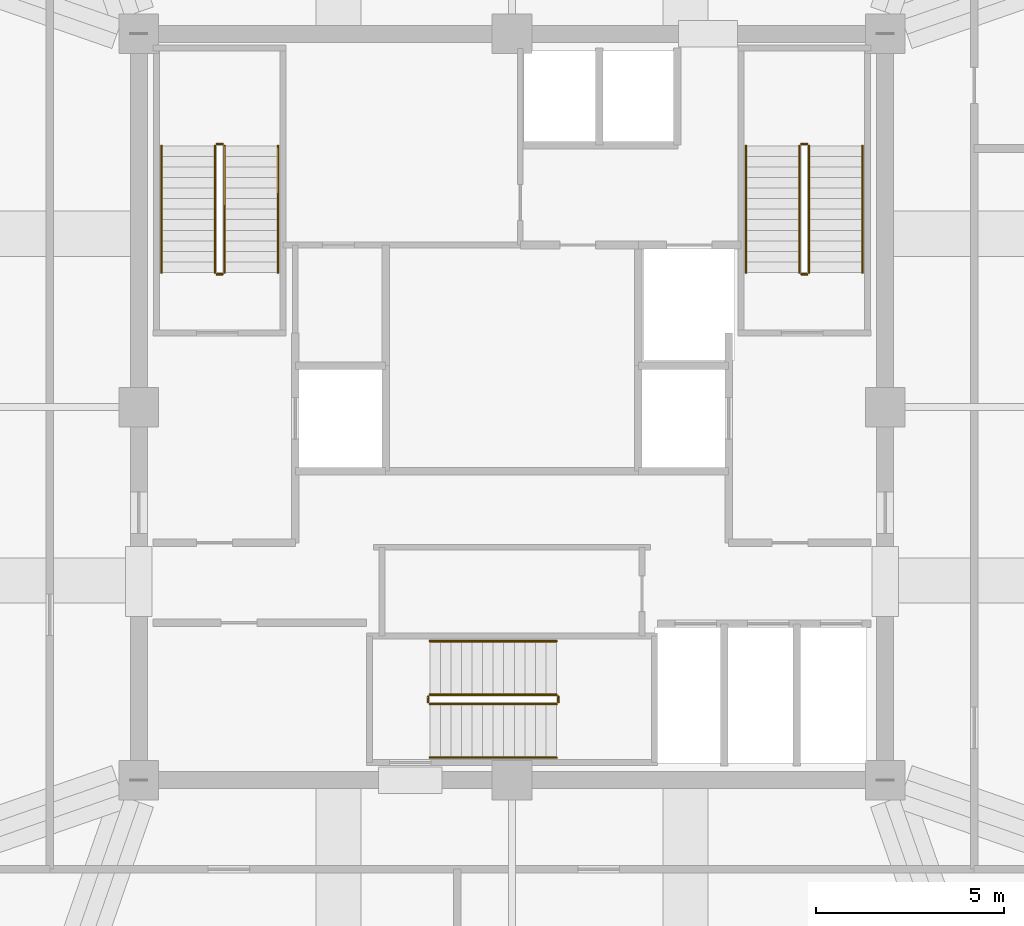
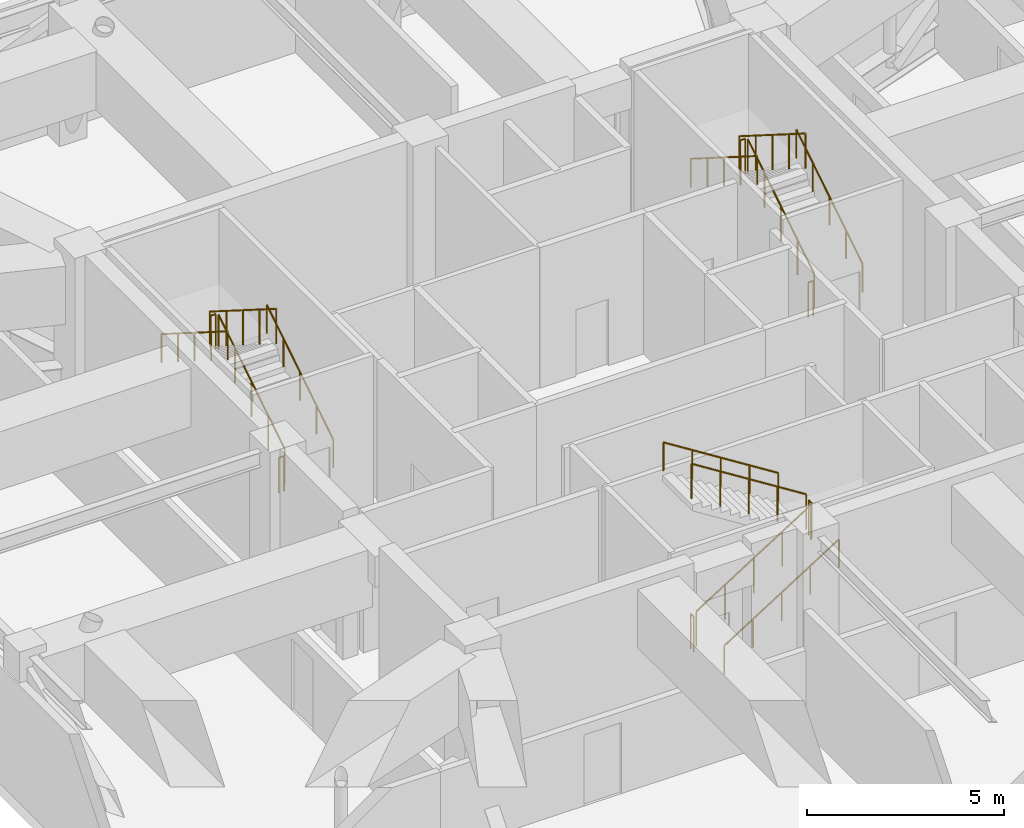
# One storey, part 14 of 14: 18 railings.
"""IFC4 building model written with IfcOpenShell, lengths in metres."""

from ifc_helpers import new_model, si_unit, direction, frame, origin, origin_2d, place, context, subcontext, project, spatial, circle, extrude, material, type_object, element, save


model = new_model("IFC4")

# Units and contexts
model_context = context("Model", 3, precision=1e-05, world=origin(), true_north=direction((0.0, 1.0)))
body_context = subcontext(model_context, "Body", "Model", "MODEL_VIEW")
ifc_project = project(units=[si_unit("LENGTHUNIT", "METRE"), si_unit("AREAUNIT", "SQUARE_METRE"), si_unit("VOLUMEUNIT", "CUBIC_METRE"), si_unit("PLANEANGLEUNIT", "RADIAN"), si_unit("MASSUNIT", "GRAM", prefix="KILO")], contexts=[model_context])

# Site, building, storey
site_placement = place(None, origin())
site = spatial("IfcSite", under=ifc_project, at=site_placement, CompositionType="ELEMENT")
building_placement = place(site_placement, origin())
building = spatial("IfcBuilding", under=site, at=building_placement, Name="Kolvaren Belvedere", CompositionType="ELEMENT")
storey_placement = place(building_placement, frame((0.0, 0.0, 232.800048828125)))
storey = spatial("IfcBuildingStorey", under=building, at=storey_placement, Name="L68", CompositionType="ELEMENT", Elevation=232.800048828125)

# Railings
ifc_material_1 = material(Name="Brushed stainless-steel handrail", Category="steel")
railing_type_1 = type_object("IfcRailingType", Name="RL-HANDRAIL-920", PredefinedType="HANDRAIL", material=ifc_material_1)
railing_1_placement = place(storey_placement, frame((-6.2099609375, 3.570068359375, 0.1767578125)))
element("IfcRailing", 1, at=railing_1_placement, inside=storey, type_object=railing_type_1, Name="L68 ST-1 stair handrail 1", PredefinedType="HANDRAIL", context=body_context, shape_type="SweptSolid", body=[
    extrude(circle(Radius=0.02392578125, at=origin_2d()), frame((0.0, 0.0, 0.8759765625), z_axis=(0.0, 0.845344368971, 0.534221768416), x_axis=(-1.0, 0.0, 0.0)), (0.0, 0.0, 1.0), 3.974609375),
    extrude(circle(Radius=0.02099609375, at=origin_2d()), origin(), (0.0, 0.0, 1.0), 0.851806640625),
    extrude(circle(Radius=0.02099609375, at=origin_2d()), frame((0.0, 0.83984375, 0.53076171875)), (0.0, 0.0, 1.0), 0.851806640625),
    extrude(circle(Radius=0.02099609375, at=origin_2d()), frame((0.0, 1.679931640625, 1.0615234375)), (0.0, 0.0, 1.0), 0.851806640625),
    extrude(circle(Radius=0.02099609375, at=origin_2d()), frame((0.0, 2.52001953125, 1.592529296875)), (0.0, 0.0, 1.0), 0.851806640625),
    extrude(circle(Radius=0.02099609375, at=origin_2d()), frame((0.0, 3.35986328125, 2.123291015625)), (0.0, 0.0, 1.0), 0.851806640625),
])
railing_2_placement = place(storey_placement, frame((-9.300048828125, 6.929931640625, 2.476806640625)))
element("IfcRailing", 2, at=railing_2_placement, inside=storey, type_object=railing_type_1, Name="L68 ST-1 stair handrail 2", PredefinedType="HANDRAIL", context=body_context, shape_type="SweptSolid", body=[
    extrude(circle(Radius=0.02392578125, at=origin_2d()), frame((0.0, 0.0, 0.8759765625), z_axis=(0.0, -0.845372108799, 0.534177870812), x_axis=(1.0, 0.0, 0.0)), (0.0, 0.0, 1.0), 3.974365234375),
    extrude(circle(Radius=0.02099609375, at=origin_2d()), origin(), (0.0, 0.0, 1.0), 0.851806640625),
    extrude(circle(Radius=0.02099609375, at=origin_2d()), frame((0.0, -0.83984375, 0.53076171875)), (0.0, 0.0, 1.0), 0.851806640625),
    extrude(circle(Radius=0.02099609375, at=origin_2d()), frame((0.0, -1.679931640625, 1.0615234375)), (0.0, 0.0, 1.0), 0.851806640625),
    extrude(circle(Radius=0.02099609375, at=origin_2d()), frame((0.0, -2.52001953125, 1.59228515625)), (0.0, 0.0, 1.0), 0.851806640625),
    extrude(circle(Radius=0.02099609375, at=origin_2d()), frame((0.0, -3.35986328125, 2.123046875)), (0.0, 0.0, 1.0), 0.851806640625),
])
railing_3_placement = place(storey_placement, frame((9.300048828125, 3.570068359375, 0.1767578125)))
element("IfcRailing", 3, at=railing_3_placement, inside=storey, type_object=railing_type_1, Name="L68 ST-2 stair handrail 1", PredefinedType="HANDRAIL", context=body_context, shape_type="SweptSolid", body=[
    extrude(circle(Radius=0.02392578125, at=origin_2d()), frame((0.0, 0.0, 0.8759765625), z_axis=(0.0, 0.845344368971, 0.534221768416), x_axis=(-1.0, 0.0, 0.0)), (0.0, 0.0, 1.0), 3.974609375),
    extrude(circle(Radius=0.02099609375, at=origin_2d()), origin(), (0.0, 0.0, 1.0), 0.851806640625),
    extrude(circle(Radius=0.02099609375, at=origin_2d()), frame((0.0, 0.83984375, 0.53076171875)), (0.0, 0.0, 1.0), 0.851806640625),
    extrude(circle(Radius=0.02099609375, at=origin_2d()), frame((0.0, 1.679931640625, 1.0615234375)), (0.0, 0.0, 1.0), 0.851806640625),
    extrude(circle(Radius=0.02099609375, at=origin_2d()), frame((0.0, 2.52001953125, 1.592529296875)), (0.0, 0.0, 1.0), 0.851806640625),
    extrude(circle(Radius=0.02099609375, at=origin_2d()), frame((0.0, 3.35986328125, 2.123291015625)), (0.0, 0.0, 1.0), 0.851806640625),
])
railing_4_placement = place(storey_placement, frame((6.2099609375, 6.929931640625, 2.476806640625)))
element("IfcRailing", 4, at=railing_4_placement, inside=storey, type_object=railing_type_1, Name="L68 ST-2 stair handrail 2", PredefinedType="HANDRAIL", context=body_context, shape_type="SweptSolid", body=[
    extrude(circle(Radius=0.02392578125, at=origin_2d()), frame((0.0, 0.0, 0.8759765625), z_axis=(0.0, -0.845372108799, 0.534177870812), x_axis=(1.0, 0.0, 0.0)), (0.0, 0.0, 1.0), 3.974365234375),
    extrude(circle(Radius=0.02099609375, at=origin_2d()), origin(), (0.0, 0.0, 1.0), 0.851806640625),
    extrude(circle(Radius=0.02099609375, at=origin_2d()), frame((0.0, -0.83984375, 0.53076171875)), (0.0, 0.0, 1.0), 0.851806640625),
    extrude(circle(Radius=0.02099609375, at=origin_2d()), frame((0.0, -1.679931640625, 1.0615234375)), (0.0, 0.0, 1.0), 0.851806640625),
    extrude(circle(Radius=0.02099609375, at=origin_2d()), frame((0.0, -2.52001953125, 1.59228515625)), (0.0, 0.0, 1.0), 0.851806640625),
    extrude(circle(Radius=0.02099609375, at=origin_2d()), frame((0.0, -3.35986328125, 2.123046875)), (0.0, 0.0, 1.0), 0.851806640625),
])
railing_5_placement = place(storey_placement, frame((-2.179931640625, -9.300048828125, 0.1767578125)))
element("IfcRailing", 5, at=railing_5_placement, inside=storey, type_object=railing_type_1, Name="L68 ST-3 stair handrail 1", PredefinedType="HANDRAIL", context=body_context, shape_type="SweptSolid", body=[
    extrude(circle(Radius=0.02392578125, at=origin_2d()), frame((0.0, 0.0, 0.8759765625), z_axis=(0.845344368971, 0.0, 0.534221768416), x_axis=(0.0, 1.0, 0.0)), (0.0, 0.0, 1.0), 3.974609375),
    extrude(circle(Radius=0.02099609375, at=origin_2d()), origin(), (0.0, 0.0, 1.0), 0.851806640625),
    extrude(circle(Radius=0.02099609375, at=origin_2d()), frame((0.83984375, 0.0, 0.53076171875)), (0.0, 0.0, 1.0), 0.851806640625),
    extrude(circle(Radius=0.02099609375, at=origin_2d()), frame((1.679931640625, 0.0, 1.0615234375)), (0.0, 0.0, 1.0), 0.851806640625),
    extrude(circle(Radius=0.02099609375, at=origin_2d()), frame((2.52001953125, 0.0, 1.592529296875)), (0.0, 0.0, 1.0), 0.851806640625),
    extrude(circle(Radius=0.02099609375, at=origin_2d()), frame((3.35986328125, 0.0, 2.123291015625)), (0.0, 0.0, 1.0), 0.851806640625),
])
railing_6_placement = place(storey_placement, frame((1.179931640625, -6.2099609375, 2.476806640625)))
element("IfcRailing", 6, at=railing_6_placement, inside=storey, type_object=railing_type_1, Name="L68 ST-3 stair handrail 2", PredefinedType="HANDRAIL", context=body_context, shape_type="SweptSolid", body=[
    extrude(circle(Radius=0.02392578125, at=origin_2d()), frame((0.0, 0.0, 0.8759765625), z_axis=(-0.845372108799, 0.0, 0.534177870812), x_axis=(0.0, -1.0, 0.0)), (0.0, 0.0, 1.0), 3.974365234375),
    extrude(circle(Radius=0.02099609375, at=origin_2d()), origin(), (0.0, 0.0, 1.0), 0.851806640625),
    extrude(circle(Radius=0.02099609375, at=origin_2d()), frame((-0.83984375, 0.0, 0.53076171875)), (0.0, 0.0, 1.0), 0.851806640625),
    extrude(circle(Radius=0.02099609375, at=origin_2d()), frame((-1.679931640625, 0.0, 1.0615234375)), (0.0, 0.0, 1.0), 0.851806640625),
    extrude(circle(Radius=0.02099609375, at=origin_2d()), frame((-2.52001953125, 0.0, 1.59228515625)), (0.0, 0.0, 1.0), 0.851806640625),
    extrude(circle(Radius=0.02099609375, at=origin_2d()), frame((-3.35986328125, 0.0, 2.123046875)), (0.0, 0.0, 1.0), 0.851806640625),
])
ifc_material_2 = material(Name="Painted tubular steel stair guard", Category="steel")
railing_type_2 = type_object("IfcRailingType", Name="RL-STGUARD-1100", PredefinedType="GUARDRAIL", material=ifc_material_2)
railing_7_placement = place(storey_placement, frame((-7.6298828125, 3.570068359375, 0.1767578125)))
element("IfcRailing", 7, at=railing_7_placement, inside=storey, type_object=railing_type_2, Name="L68 ST-1 stair guard 1", PredefinedType="GUARDRAIL", context=body_context, shape_type="SweptSolid", body=[
    extrude(circle(Radius=0.02392578125, at=origin_2d()), frame((0.0, 0.0, 1.076171875), z_axis=(0.0, 0.845344368971, 0.534221768416), x_axis=(-1.0, 0.0, 0.0)), (0.0, 0.0, 1.0), 3.974609375),
    extrude(circle(Radius=0.02099609375, at=origin_2d()), origin(), (0.0, 0.0, 1.0), 1.052001953125),
    extrude(circle(Radius=0.02099609375, at=origin_2d()), frame((0.0, 0.83984375, 0.53076171875)), (0.0, 0.0, 1.0), 1.052001953125),
    extrude(circle(Radius=0.02099609375, at=origin_2d()), frame((0.0, 1.679931640625, 1.0615234375)), (0.0, 0.0, 1.0), 1.052001953125),
    extrude(circle(Radius=0.02099609375, at=origin_2d()), frame((0.0, 2.52001953125, 1.592529296875)), (0.0, 0.0, 1.0), 1.052001953125),
    extrude(circle(Radius=0.02099609375, at=origin_2d()), frame((0.0, 3.35986328125, 2.123291015625)), (0.0, 0.0, 1.0), 1.052001953125),
])
railing_8_placement = place(storey_placement, frame((-7.679931640625, 6.97998046875, 2.300048828125)))
element("IfcRailing", 8, at=railing_8_placement, inside=storey, type_object=railing_type_2, Name="L68 ST-1 stair guard 2", PredefinedType="GUARDRAIL", context=body_context, shape_type="SweptSolid", body=[
    extrude(circle(Radius=0.02392578125, at=origin_2d()), frame((0.0, 0.0, 1.076171875), z_axis=(-1.0, 0.0, 0.0), x_axis=(0.0, -1.0, 0.0)), (0.0, 0.0, 1.0), 0.150146484375),
    extrude(circle(Radius=0.02099609375, at=origin_2d()), origin(), (0.0, 0.0, 1.0), 1.052001953125),
    extrude(circle(Radius=0.02099609375, at=origin_2d()), frame((-0.150146484375, 0.0, 0.0)), (0.0, 0.0, 1.0), 1.052001953125),
])
railing_9_placement = place(storey_placement, frame((-7.8798828125, 6.929931640625, 2.476806640625)))
element("IfcRailing", 9, at=railing_9_placement, inside=storey, type_object=railing_type_2, Name="L68 ST-1 stair guard 3", PredefinedType="GUARDRAIL", context=body_context, shape_type="SweptSolid", body=[
    extrude(circle(Radius=0.02392578125, at=origin_2d()), frame((0.0, 0.0, 1.076171875), z_axis=(0.0, -0.845372108799, 0.534177870812), x_axis=(1.0, 0.0, 0.0)), (0.0, 0.0, 1.0), 3.974365234375),
    extrude(circle(Radius=0.02099609375, at=origin_2d()), origin(), (0.0, 0.0, 1.0), 1.052001953125),
    extrude(circle(Radius=0.02099609375, at=origin_2d()), frame((0.0, -0.83984375, 0.53076171875)), (0.0, 0.0, 1.0), 1.052001953125),
    extrude(circle(Radius=0.02099609375, at=origin_2d()), frame((0.0, -1.679931640625, 1.0615234375)), (0.0, 0.0, 1.0), 1.052001953125),
    extrude(circle(Radius=0.02099609375, at=origin_2d()), frame((0.0, -2.52001953125, 1.59228515625)), (0.0, 0.0, 1.0), 1.052001953125),
    extrude(circle(Radius=0.02099609375, at=origin_2d()), frame((0.0, -3.35986328125, 2.123046875)), (0.0, 0.0, 1.0), 1.052001953125),
])
railing_10_placement = place(storey_placement, frame((-7.679931640625, 3.52001953125, 0.0)))
element("IfcRailing", 10, at=railing_10_placement, inside=storey, type_object=railing_type_2, Name="L68 ST-1 stair guard 4", PredefinedType="GUARDRAIL", context=body_context, shape_type="SweptSolid", body=[
    extrude(circle(Radius=0.02392578125, at=origin_2d()), frame((0.0, 0.0, 1.076171875), z_axis=(-1.0, 0.0, 0.0), x_axis=(0.0, -1.0, 0.0)), (0.0, 0.0, 1.0), 0.150146484375),
    extrude(circle(Radius=0.02099609375, at=origin_2d()), origin(), (0.0, 0.0, 1.0), 1.052001953125),
    extrude(circle(Radius=0.02099609375, at=origin_2d()), frame((-0.150146484375, 0.0, 0.0)), (0.0, 0.0, 1.0), 1.052001953125),
])
railing_11_placement = place(storey_placement, frame((7.8798828125, 3.570068359375, 0.1767578125)))
element("IfcRailing", 11, at=railing_11_placement, inside=storey, type_object=railing_type_2, Name="L68 ST-2 stair guard 1", PredefinedType="GUARDRAIL", context=body_context, shape_type="SweptSolid", body=[
    extrude(circle(Radius=0.02392578125, at=origin_2d()), frame((0.0, 0.0, 1.076171875), z_axis=(0.0, 0.845344368971, 0.534221768416), x_axis=(-1.0, 0.0, 0.0)), (0.0, 0.0, 1.0), 3.974609375),
    extrude(circle(Radius=0.02099609375, at=origin_2d()), origin(), (0.0, 0.0, 1.0), 1.052001953125),
    extrude(circle(Radius=0.02099609375, at=origin_2d()), frame((0.0, 0.83984375, 0.53076171875)), (0.0, 0.0, 1.0), 1.052001953125),
    extrude(circle(Radius=0.02099609375, at=origin_2d()), frame((0.0, 1.679931640625, 1.0615234375)), (0.0, 0.0, 1.0), 1.052001953125),
    extrude(circle(Radius=0.02099609375, at=origin_2d()), frame((0.0, 2.52001953125, 1.592529296875)), (0.0, 0.0, 1.0), 1.052001953125),
    extrude(circle(Radius=0.02099609375, at=origin_2d()), frame((0.0, 3.35986328125, 2.123291015625)), (0.0, 0.0, 1.0), 1.052001953125),
])
railing_12_placement = place(storey_placement, frame((7.830078125, 6.97998046875, 2.300048828125)))
element("IfcRailing", 12, at=railing_12_placement, inside=storey, type_object=railing_type_2, Name="L68 ST-2 stair guard 2", PredefinedType="GUARDRAIL", context=body_context, shape_type="SweptSolid", body=[
    extrude(circle(Radius=0.02392578125, at=origin_2d()), frame((0.0, 0.0, 1.076171875), z_axis=(-1.0, 0.0, 0.0), x_axis=(0.0, -1.0, 0.0)), (0.0, 0.0, 1.0), 0.150146484375),
    extrude(circle(Radius=0.02099609375, at=origin_2d()), origin(), (0.0, 0.0, 1.0), 1.052001953125),
    extrude(circle(Radius=0.02099609375, at=origin_2d()), frame((-0.150146484375, 0.0, 0.0)), (0.0, 0.0, 1.0), 1.052001953125),
])
railing_13_placement = place(storey_placement, frame((7.6298828125, 6.929931640625, 2.476806640625)))
element("IfcRailing", 13, at=railing_13_placement, inside=storey, type_object=railing_type_2, Name="L68 ST-2 stair guard 3", PredefinedType="GUARDRAIL", context=body_context, shape_type="SweptSolid", body=[
    extrude(circle(Radius=0.02392578125, at=origin_2d()), frame((0.0, 0.0, 1.076171875), z_axis=(0.0, -0.845372108799, 0.534177870812), x_axis=(1.0, 0.0, 0.0)), (0.0, 0.0, 1.0), 3.974365234375),
    extrude(circle(Radius=0.02099609375, at=origin_2d()), origin(), (0.0, 0.0, 1.0), 1.052001953125),
    extrude(circle(Radius=0.02099609375, at=origin_2d()), frame((0.0, -0.83984375, 0.53076171875)), (0.0, 0.0, 1.0), 1.052001953125),
    extrude(circle(Radius=0.02099609375, at=origin_2d()), frame((0.0, -1.679931640625, 1.0615234375)), (0.0, 0.0, 1.0), 1.052001953125),
    extrude(circle(Radius=0.02099609375, at=origin_2d()), frame((0.0, -2.52001953125, 1.59228515625)), (0.0, 0.0, 1.0), 1.052001953125),
    extrude(circle(Radius=0.02099609375, at=origin_2d()), frame((0.0, -3.35986328125, 2.123046875)), (0.0, 0.0, 1.0), 1.052001953125),
])
railing_14_placement = place(storey_placement, frame((7.830078125, 3.52001953125, 0.0)))
element("IfcRailing", 14, at=railing_14_placement, inside=storey, type_object=railing_type_2, Name="L68 ST-2 stair guard 4", PredefinedType="GUARDRAIL", context=body_context, shape_type="SweptSolid", body=[
    extrude(circle(Radius=0.02392578125, at=origin_2d()), frame((0.0, 0.0, 1.076171875), z_axis=(-1.0, 0.0, 0.0), x_axis=(0.0, -1.0, 0.0)), (0.0, 0.0, 1.0), 0.150146484375),
    extrude(circle(Radius=0.02099609375, at=origin_2d()), origin(), (0.0, 0.0, 1.0), 1.052001953125),
    extrude(circle(Radius=0.02099609375, at=origin_2d()), frame((-0.150146484375, 0.0, 0.0)), (0.0, 0.0, 1.0), 1.052001953125),
])
railing_15_placement = place(storey_placement, frame((-2.179931640625, -7.8798828125, 0.1767578125)))
element("IfcRailing", 15, at=railing_15_placement, inside=storey, type_object=railing_type_2, Name="L68 ST-3 stair guard 1", PredefinedType="GUARDRAIL", context=body_context, shape_type="SweptSolid", body=[
    extrude(circle(Radius=0.02392578125, at=origin_2d()), frame((0.0, 0.0, 1.076171875), z_axis=(0.845344368971, 0.0, 0.534221768416), x_axis=(0.0, 1.0, 0.0)), (0.0, 0.0, 1.0), 3.974609375),
    extrude(circle(Radius=0.02099609375, at=origin_2d()), origin(), (0.0, 0.0, 1.0), 1.052001953125),
    extrude(circle(Radius=0.02099609375, at=origin_2d()), frame((0.83984375, 0.0, 0.53076171875)), (0.0, 0.0, 1.0), 1.052001953125),
    extrude(circle(Radius=0.02099609375, at=origin_2d()), frame((1.679931640625, 0.0, 1.0615234375)), (0.0, 0.0, 1.0), 1.052001953125),
    extrude(circle(Radius=0.02099609375, at=origin_2d()), frame((2.52001953125, 0.0, 1.592529296875)), (0.0, 0.0, 1.0), 1.052001953125),
    extrude(circle(Radius=0.02099609375, at=origin_2d()), frame((3.35986328125, 0.0, 2.123291015625)), (0.0, 0.0, 1.0), 1.052001953125),
])
railing_16_placement = place(storey_placement, frame((1.22998046875, -7.830078125, 2.300048828125)))
element("IfcRailing", 16, at=railing_16_placement, inside=storey, type_object=railing_type_2, Name="L68 ST-3 stair guard 2", PredefinedType="GUARDRAIL", context=body_context, shape_type="SweptSolid", body=[
    extrude(circle(Radius=0.02392578125, at=origin_2d()), frame((0.0, 0.0, 1.076171875), z_axis=(0.0, 1.0, 0.0), x_axis=(-1.0, 0.0, 0.0)), (0.0, 0.0, 1.0), 0.150146484375),
    extrude(circle(Radius=0.02099609375, at=origin_2d()), origin(), (0.0, 0.0, 1.0), 1.052001953125),
    extrude(circle(Radius=0.02099609375, at=origin_2d()), frame((0.0, 0.150146484375, 0.0)), (0.0, 0.0, 1.0), 1.052001953125),
])
railing_17_placement = place(storey_placement, frame((1.179931640625, -7.6298828125, 2.476806640625)))
element("IfcRailing", 17, at=railing_17_placement, inside=storey, type_object=railing_type_2, Name="L68 ST-3 stair guard 3", PredefinedType="GUARDRAIL", context=body_context, shape_type="SweptSolid", body=[
    extrude(circle(Radius=0.02392578125, at=origin_2d()), frame((0.0, 0.0, 1.076171875), z_axis=(-0.845372108799, 0.0, 0.534177870812), x_axis=(0.0, -1.0, 0.0)), (0.0, 0.0, 1.0), 3.974365234375),
    extrude(circle(Radius=0.02099609375, at=origin_2d()), origin(), (0.0, 0.0, 1.0), 1.052001953125),
    extrude(circle(Radius=0.02099609375, at=origin_2d()), frame((-0.83984375, 0.0, 0.53076171875)), (0.0, 0.0, 1.0), 1.052001953125),
    extrude(circle(Radius=0.02099609375, at=origin_2d()), frame((-1.679931640625, 0.0, 1.0615234375)), (0.0, 0.0, 1.0), 1.052001953125),
    extrude(circle(Radius=0.02099609375, at=origin_2d()), frame((-2.52001953125, 0.0, 1.59228515625)), (0.0, 0.0, 1.0), 1.052001953125),
    extrude(circle(Radius=0.02099609375, at=origin_2d()), frame((-3.35986328125, 0.0, 2.123046875)), (0.0, 0.0, 1.0), 1.052001953125),
])
railing_18_placement = place(storey_placement, frame((-2.22998046875, -7.830078125, 0.0)))
element("IfcRailing", 18, at=railing_18_placement, inside=storey, type_object=railing_type_2, Name="L68 ST-3 stair guard 4", PredefinedType="GUARDRAIL", context=body_context, shape_type="SweptSolid", body=[
    extrude(circle(Radius=0.02392578125, at=origin_2d()), frame((0.0, 0.0, 1.076171875), z_axis=(0.0, 1.0, 0.0), x_axis=(-1.0, 0.0, 0.0)), (0.0, 0.0, 1.0), 0.150146484375),
    extrude(circle(Radius=0.02099609375, at=origin_2d()), origin(), (0.0, 0.0, 1.0), 1.052001953125),
    extrude(circle(Radius=0.02099609375, at=origin_2d()), frame((0.0, 0.150146484375, 0.0)), (0.0, 0.0, 1.0), 1.052001953125),
])

save(model, "model.ifc")
